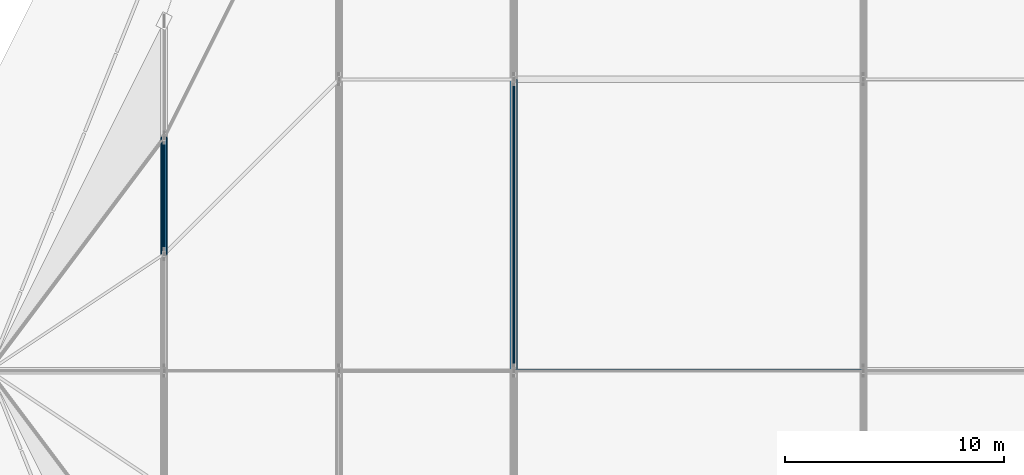
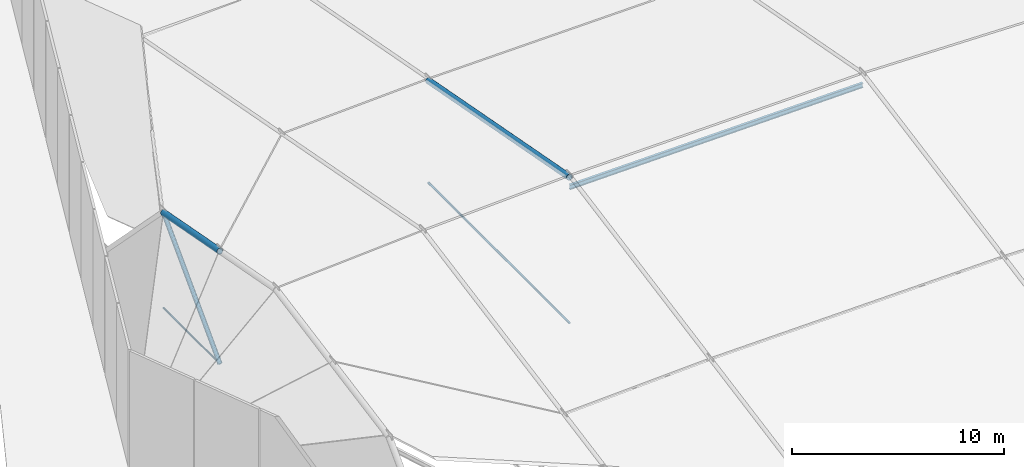
# One storey, part 8 of 30: 6 members.
"""IFC4 building model written with IfcOpenShell, lengths in metres."""

from ifc_helpers import new_model, si_unit, direction, frame, origin, origin_2d, place, context, subcontext, project, spatial, circle, hollow_circle, i_section, extrude, material, material_profile, profile_set, type_object, element, save


model = new_model("IFC4")

# Units and contexts
model_context = context("Model", 3, precision=1e-05, world=origin(), true_north=direction((0.0, 1.0)))
body_context = subcontext(model_context, "Body", "Model", "MODEL_VIEW")
ifc_project = project(units=[si_unit("LENGTHUNIT", "METRE"), si_unit("AREAUNIT", "SQUARE_METRE"), si_unit("VOLUMEUNIT", "CUBIC_METRE"), si_unit("PLANEANGLEUNIT", "RADIAN"), si_unit("MASSUNIT", "GRAM", prefix="KILO")], contexts=[model_context])

# Site, building, storey
site_placement = place(None, origin())
site = spatial("IfcSite", under=ifc_project, at=site_placement, CompositionType="ELEMENT")
building_placement = place(site_placement, origin())
building = spatial("IfcBuilding", under=site, at=building_placement, Name="Tazarka Park Arena", CompositionType="ELEMENT")
storey_placement = place(building_placement, frame((0.0, 0.0, 29.39990234375)))
storey = spatial("IfcBuildingStorey", under=building, at=storey_placement, Name="Roof", CompositionType="ELEMENT", Elevation=29.39990234375)

# Members
ifc_material_1 = material(Name="Steel S355", Category="steel")
ifc_material_profile_1 = material_profile(ifc_material_1, hollow_circle(Radius=0.122314453125, WallThickness=0.012451171875, at=origin_2d()), Name="Steel S355")
ifc_profile_set_1 = profile_set([ifc_material_profile_1], Name="Steel S355")
member_type_1 = type_object("IfcMemberType", Name="MEM-BR-05", PredefinedType="BRACE", material=ifc_profile_set_1)
member_1_placement = place(storey_placement, frame((56.0, 69.333251953125, -0.0498046875), z_axis=(0.0, 0.696443511001, 0.717611619181), x_axis=(-1.0, 0.0, 0.0)))
element("IfcMember", 1, at=member_1_placement, inside=storey, type_object=member_type_1, Name="CBD-01-4", PredefinedType="BRACE", context=body_context, shape_type="SweptSolid", body=[
    extrude(hollow_circle(Radius=0.122314453125, WallThickness=0.012451171875, at=origin_2d()), origin(), (0.0, 0.0, 1.0), 7.658203125),
])
ifc_material_2 = material(Name="Locked-coil steel cable S1570", Category="steel")
ifc_material_profile_2 = material_profile(ifc_material_2, circle(Radius=0.050048828125, at=origin_2d()), Name="Locked-coil steel cable S1570")
ifc_profile_set_2 = profile_set([ifc_material_profile_2], Name="Locked-coil steel cable S1570")
member_type_2 = type_object("IfcMemberType", Name="MEM-CBL-02", PredefinedType="USERDEFINED", material=ifc_profile_set_2)
member_2_placement = place(storey_placement, frame((56.0, 69.333251953125, -0.0498046875), z_axis=(0.0, 1.0, 0.0), x_axis=(-1.0, 0.0, 0.0)))
element("IfcMember", 2, at=member_2_placement, inside=storey, type_object=member_type_2, Name="CABLE CBL-02-2-5", ObjectType="CABLE", PredefinedType="USERDEFINED", context=body_context, shape_type="SweptSolid", body=[
    extrude(circle(Radius=0.050048828125, at=origin_2d()), origin(), (0.0, 0.0, 1.0), 5.33349609375),
])
ifc_material_3 = material(Name="Locked-coil steel cable S1570", Category="steel")
ifc_material_profile_3 = material_profile(ifc_material_3, circle(Radius=0.06005859375, at=origin_2d()), Name="Locked-coil steel cable S1570")
ifc_profile_set_3 = profile_set([ifc_material_profile_3], Name="Locked-coil steel cable S1570")
member_type_3 = type_object("IfcMemberType", Name="MEM-CBL-03", PredefinedType="USERDEFINED", material=ifc_profile_set_3)
member_3_placement = place(storey_placement, frame((72.0, 64.0, -0.0498046875), z_axis=(0.0, 1.0, 0.0), x_axis=(-1.0, 0.0, 0.0)))
element("IfcMember", 3, at=member_3_placement, inside=storey, type_object=member_type_3, Name="CABLE CBL-03-4-4", ObjectType="CABLE", PredefinedType="USERDEFINED", context=body_context, shape_type="SweptSolid", body=[
    extrude(circle(Radius=0.06005859375, at=origin_2d()), origin(), (0.0, 0.0, 1.0), 13.333251953125),
])
ifc_material_4 = material(Name="Steel S460", Category="steel")
ifc_material_profile_4 = material_profile(ifc_material_4, hollow_circle(Radius=0.161865234375, WallThickness=0.01611328125, at=origin_2d()), Name="Steel S460")
ifc_profile_set_4 = profile_set([ifc_material_profile_4], Name="Steel S460")
member_type_4 = type_object("IfcMemberType", Name="MEM-CH-03", PredefinedType="CHORD", material=ifc_profile_set_4)
member_4_placement = place(storey_placement, frame((56.0, 69.333251953125, 6.451416015625), z_axis=(0.0, 0.982685304414, -0.185282466762), x_axis=(-1.0, 0.0, 0.0)))
element("IfcMember", 4, at=member_4_placement, inside=storey, type_object=member_type_4, Name="CABLE ARCH CHORD 2-5", PredefinedType="CHORD", context=body_context, shape_type="SweptSolid", body=[
    extrude(hollow_circle(Radius=0.161865234375, WallThickness=0.01611328125, at=origin_2d()), origin(), (0.0, 0.0, 1.0), 5.427490234375),
])
member_5_placement = place(storey_placement, frame((72.0, 64.0, 8.351806640625), z_axis=(0.0, 0.982682430789, -0.185297706998), x_axis=(-1.0, 0.0, 0.0)))
element("IfcMember", 5, at=member_5_placement, inside=storey, type_object=member_type_4, Name="CABLE ARCH CHORD 4-4", PredefinedType="CHORD", context=body_context, shape_type="SweptSolid", body=[
    extrude(hollow_circle(Radius=0.161865234375, WallThickness=0.01611328125, at=origin_2d()), origin(), (0.0, 0.0, 1.0), 13.568115234375),
])
ifc_material_5 = material(Name="Steel S355", Category="steel")
ifc_material_profile_5 = material_profile(ifc_material_5, i_section(OverallWidth=0.135009765625, OverallDepth=0.27001953125, WebThickness=0.006591796875, FlangeThickness=0.01025390625, FilletRadius=0.014892578125, at=origin_2d()), Name="Steel S355")
ifc_profile_set_5 = profile_set([ifc_material_profile_5], Name="Steel S355")
member_type_5 = type_object("IfcMemberType", Name="MEM-PR-03", PredefinedType="PURLIN", material=ifc_profile_set_5)
member_6_placement = place(storey_placement, frame((72.0, 64.0, 7.7919921875), z_axis=(0.999826488435, 0.0, 0.018627748755), x_axis=(0.0, 1.0, 0.0)))
element("IfcMember", 6, at=member_6_placement, inside=storey, type_object=member_type_5, Name="RPM-03-03", PredefinedType="PURLIN", context=body_context, shape_type="SweptSolid", body=[
    extrude(i_section(OverallWidth=0.135009765625, OverallDepth=0.27001953125, WebThickness=0.006591796875, FlangeThickness=0.01025390625, FilletRadius=0.014892578125, at=origin_2d()), origin(), (0.0, 0.0, 1.0), 16.002685546875),
])

save(model, "model.ifc")
